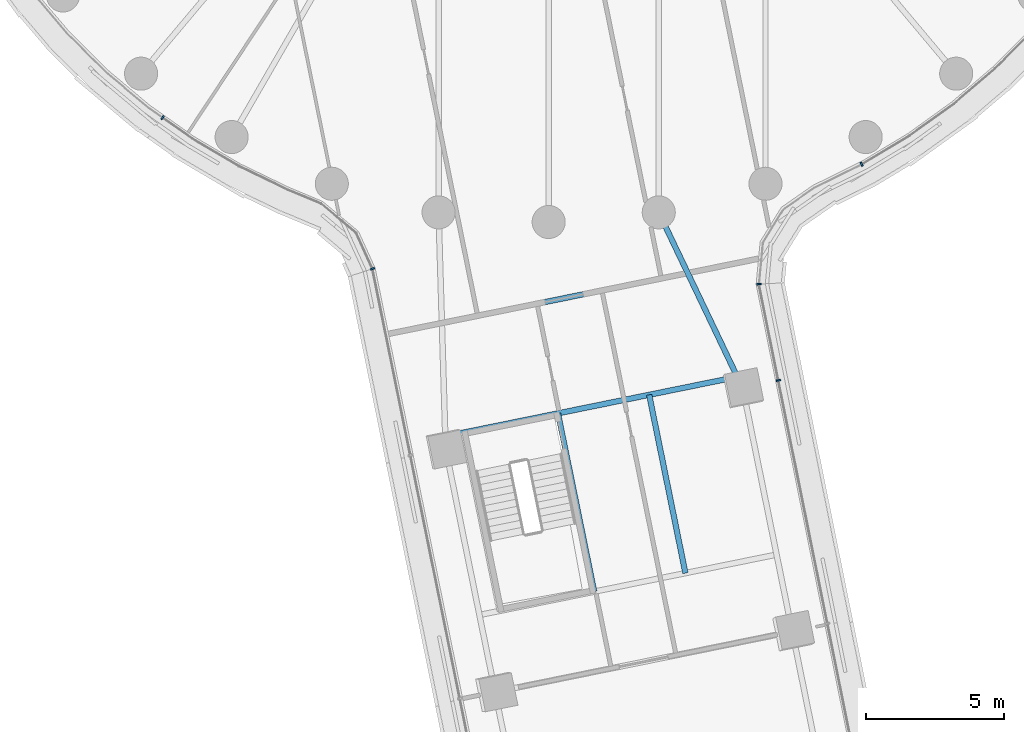
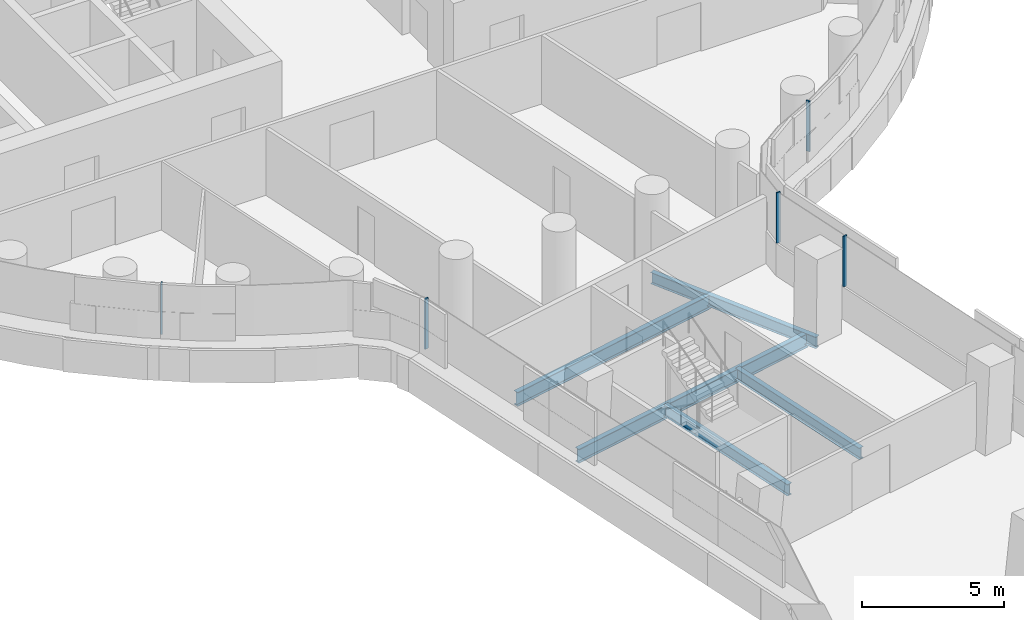
# One storey, part 3 of 31: 5 beams, 5 members, 4 elements without a shape of their own.
"""IFC4 building model written with IfcOpenShell, lengths in metres."""

import ifcopenshell
import ifcopenshell.guid

model = None  # the IFC model being written
_history = None  # IfcOwnerHistory: only IFC2X3 demands one
_inside = {}  # id of a spatial element -> (the spatial element, [elements in it])
_under = {}  # id of a project, library or spatial element -> (it, [spatial elements below it])
_declared = {}  # id of a project -> (the project, [libraries it declares])
_typed = {}  # id of a type object -> (the type object, [elements of that type])
_made_of = {}  # id of a material, layer set ... -> (it, [elements and type objects made of it])


def new_model(schema):
    """Start an empty IFC model of exactly this schema.

    Asked for "IFC4X3", IfcOpenShell would pick the latest addendum, in which some entities
    have other attributes; the version numbers below select the first issue.
    IFC2X3 requires an IfcOwnerHistory on every rooted entity: one is made here for all.
    """
    global model, _history
    if schema == "IFC4X3":
        model = ifcopenshell.file(schema_version=(4, 3, 0, 0))
    else:
        model = ifcopenshell.file(schema=schema)
    _inside.clear()
    _under.clear()
    _declared.clear()
    _typed.clear()
    _made_of.clear()
    _history = None
    if model.schema == "IFC2X3":
        org = make("IfcOrganization", Name="unknown")
        user = make(
            "IfcPersonAndOrganization",
            ThePerson=make("IfcPerson", FamilyName="unknown"),
            TheOrganization=org,
        )
        app = make(
            "IfcApplication",
            ApplicationDeveloper=org,
            Version="unknown",
            ApplicationFullName="unknown",
            ApplicationIdentifier="unknown",
        )
        _history = make(
            "IfcOwnerHistory",
            OwningUser=user,
            OwningApplication=app,
            ChangeAction="ADDED",
            CreationDate=0,
        )
    return model


def make(cls, **values):
    """One entity of the class cls with the attributes given. An attribute that is None is left unset."""
    return model.create_entity(
        cls, **{name: value for name, value in values.items() if value is not None}
    )


def rooted(cls, **values):
    """An entity with a GlobalId (a new one), such as an element, a storey or a relation."""
    return make(cls, GlobalId=ifcopenshell.guid.new(), OwnerHistory=_history, **values)


def si_unit(unit_type, name, prefix=None):
    """IfcSIUnit, for example si_unit("LENGTHUNIT", "METRE", prefix="MILLI")."""
    return make("IfcSIUnit", UnitType=unit_type, Prefix=prefix, Name=name)


def assignment(units):
    """IfcUnitAssignment: the units of a project."""
    return None if units is None else make("IfcUnitAssignment", Units=units)


def point(xyz):
    """IfcCartesianPoint."""
    return None if xyz is None else make("IfcCartesianPoint", Coordinates=xyz)


def direction(xyz):
    """IfcDirection."""
    return None if xyz is None else make("IfcDirection", DirectionRatios=xyz)


def frame(location, z_axis=None, x_axis=None):
    """IfcAxis2Placement3D, a coordinate frame: its origin and axes. An axis left out is left unset."""
    return make(
        "IfcAxis2Placement3D",
        Location=point(location),
        Axis=direction(z_axis),
        RefDirection=direction(x_axis),
    )


def frame_2d(location, x_axis=None):
    """IfcAxis2Placement2D, a coordinate frame in the plane: its origin and x axis."""
    return make(
        "IfcAxis2Placement2D", Location=point(location), RefDirection=direction(x_axis)
    )


def origin():
    """The frame at (0, 0, 0) with its axes left unset."""
    return frame((0.0, 0.0, 0.0))


def origin_2d():
    """The frame at (0, 0) in the plane with its x axis left unset."""
    return frame_2d((0.0, 0.0))


def place(relative_to, where):
    """IfcLocalPlacement: puts the frame where relative to a parent placement (None: the world)."""
    return make(
        "IfcLocalPlacement", PlacementRelTo=relative_to, RelativePlacement=where
    )


def context(
    kind, dimensions, precision=None, world=None, true_north=None, identifier=None
):
    """IfcGeometricRepresentationContext, for example the 3D "Model" context."""
    return make(
        "IfcGeometricRepresentationContext",
        ContextIdentifier=identifier,
        ContextType=kind,
        CoordinateSpaceDimension=dimensions,
        Precision=precision,
        WorldCoordinateSystem=world,
        TrueNorth=true_north,
    )


def subcontext(parent, identifier, kind, view, scale=None):
    """IfcGeometricRepresentationSubContext, for example "Body" below "Model"."""
    return make(
        "IfcGeometricRepresentationSubContext",
        ContextIdentifier=identifier,
        ContextType=kind,
        ParentContext=parent,
        TargetScale=scale,
        TargetView=view,
    )


def project(units=None, contexts=None):
    """IfcProject with its units and contexts."""
    return rooted(
        "IfcProject",
        Name="project",
        RepresentationContexts=contexts,
        UnitsInContext=assignment(units),
    )


def spatial(cls, under=None, at=None, **own):
    """A site, building, storey or space (cls), placed at a placement, below another one or the project."""
    s = rooted(cls, ObjectPlacement=at, **own)
    if under is not None:
        _under.setdefault(under.id(), (under, []))[1].append(s)
    return s


def profile(cls, at=None, kind="AREA", **sizes):
    """A parametric profile (cls). Its sizes go by their IFC names, for example OverallWidth=200.0."""
    return make(cls, ProfileType=kind, Position=at, **sizes)


def rectangle(**sizes):
    """IfcRectangleProfileDef."""
    return profile("IfcRectangleProfileDef", **sizes)


def i_section(**sizes):
    """IfcIShapeProfileDef."""
    return profile("IfcIShapeProfileDef", **sizes)


def extrude(swept, where, along, depth):
    """IfcExtrudedAreaSolid: the profile swept, set in the frame where, extruded along a direction by depth."""
    return make(
        "IfcExtrudedAreaSolid",
        SweptArea=swept,
        Position=where,
        ExtrudedDirection=direction(along),
        Depth=depth,
    )


def shape(context_of_items, identifier, shape_type, items):
    """IfcShapeRepresentation: the items that make up one representation, for example the "Body"."""
    return make(
        "IfcShapeRepresentation",
        ContextOfItems=context_of_items,
        RepresentationIdentifier=identifier,
        RepresentationType=shape_type,
        Items=items,
    )


def material(Name=None, Category=None):
    """IfcMaterial."""
    return make("IfcMaterial", Name=Name, Category=Category)


def layer(
    of_material, thickness, ventilated=None, Name=None, Category=None, Priority=None
):
    """IfcMaterialLayer: one layer of a wall or slab, of a material (None: an air gap)."""
    return make(
        "IfcMaterialLayer",
        Material=of_material,
        LayerThickness=thickness,
        IsVentilated=ventilated,
        Name=Name,
        Category=Category,
        Priority=Priority,
    )


def layer_set(layers, Name=None):
    """IfcMaterialLayerSet."""
    return make("IfcMaterialLayerSet", MaterialLayers=layers, LayerSetName=Name)


def material_profile(
    of_material, cross_section, Name=None, Category=None, Priority=None
):
    """IfcMaterialProfile: a cross section and its material."""
    return make(
        "IfcMaterialProfile",
        Name=Name,
        Material=of_material,
        Profile=cross_section,
        Priority=Priority,
        Category=Category,
    )


def profile_set(profiles, Name=None, composite=None):
    """IfcMaterialProfileSet."""
    return make(
        "IfcMaterialProfileSet",
        Name=Name,
        MaterialProfiles=profiles,
        CompositeProfile=composite,
    )


def made_of(thing, what):
    """Note that an element or type object is made of a material, layer set ...; save() writes the relation."""
    if what is not None:
        _made_of.setdefault(what.id(), (what, []))[1].append(thing)
    return thing


def type_object(cls, material=None, **own):
    """A type object (cls), such as IfcWallType, which elements share."""
    return made_of(rooted(cls, **own), material)


def element(
    cls,
    number,
    at=None,
    inside=None,
    cuts=None,
    type_object=None,
    material=None,
    context=None,
    identifier="Body",
    shape_type=None,
    held_by="IfcProductDefinitionShape",
    body=None,
    shapes=None,
    **own,
):
    """One element of the class cls, such as IfcWall. Its Tag is "e" and its number.

    at: its placement. inside: the storey or other place that contains it. cuts: it is an
    opening in that element (IfcRelVoidsElement). A single representation is given by context,
    identifier, shape_type and body (its items); several are given by shapes. held_by: the class
    of the entity that holds the representations. save() writes the other relations.
    """
    e = rooted(cls, Tag="e%d" % number, ObjectPlacement=at, **own)
    if body is not None:
        shapes = [shape(context, identifier, shape_type, body)]
    if shapes is not None:
        e.Representation = make(held_by, Representations=shapes)
    if inside is not None:
        _inside.setdefault(inside.id(), (inside, []))[1].append(e)
    if cuts is not None:
        rooted(
            "IfcRelVoidsElement", RelatingBuildingElement=cuts, RelatedOpeningElement=e
        )
    if type_object is not None:
        _typed.setdefault(type_object.id(), (type_object, []))[1].append(e)
    return made_of(e, material)


def aggregate(whole, parts):
    """IfcRelAggregates: a whole, such as a stair, and the parts it consists of."""
    return rooted("IfcRelAggregates", RelatingObject=whole, RelatedObjects=parts)


def save(model, path):
    """Write the relations noted so far, then the file.

    IfcRelAggregates (storeys below a building ...), IfcRelContainedInSpatialStructure (elements
    in a storey), IfcRelDefinesByType, IfcRelAssociatesMaterial and IfcRelDeclares: one each for
    every whole, place, type object, material and project.
    """
    for whole, parts in _under.values():
        aggregate(whole, parts)
    for where, things in _inside.values():
        rooted(
            "IfcRelContainedInSpatialStructure",
            RelatedElements=things,
            RelatingStructure=where,
        )
    for kind, things in _typed.values():
        rooted("IfcRelDefinesByType", RelatedObjects=things, RelatingType=kind)
    for what, things in _made_of.values():
        rooted("IfcRelAssociatesMaterial", RelatedObjects=things, RelatingMaterial=what)
    for by, libraries in _declared.values():
        rooted("IfcRelDeclares", RelatingContext=by, RelatedDefinitions=libraries)
    model.write(path)


model = new_model("IFC4")

# Units and contexts
model_context = context("Model", 3, precision=1e-05, world=origin(), true_north=direction((0.0, 1.0)))
body_context = subcontext(model_context, "Body", "Model", "MODEL_VIEW")
ifc_project = project(units=[si_unit("LENGTHUNIT", "METRE"), si_unit("AREAUNIT", "SQUARE_METRE"), si_unit("VOLUMEUNIT", "CUBIC_METRE"), si_unit("PLANEANGLEUNIT", "RADIAN"), si_unit("MASSUNIT", "GRAM", prefix="KILO")], contexts=[model_context])

# Site, building, storey
site_placement = place(None, origin())
site = spatial("IfcSite", under=ifc_project, at=site_placement, CompositionType="ELEMENT")
building_placement = place(site_placement, origin())
building = spatial("IfcBuilding", under=site, at=building_placement, Name="Tamarind Cross Interchange Tower", CompositionType="ELEMENT")
storey_placement = place(building_placement, frame((0.0, 0.0, 75.25)))
storey = spatial("IfcBuildingStorey", under=building, at=storey_placement, Name="L17", CompositionType="ELEMENT", Elevation=75.25)

# Beams
ifc_material_1 = material(Name="Steel Q355B", Category="steel")
ifc_material_profile_1 = material_profile(ifc_material_1, i_section(OverallWidth=0.198974609375, OverallDepth=0.49609375, WebThickness=0.009033203125, FlangeThickness=0.013916015625, FilletRadius=0.012939453125, at=origin_2d()), Name="HN 496x199x9x14")
ifc_profile_set_1 = profile_set([ifc_material_profile_1], Name="Steel Q355B")
beam_type_1 = type_object("IfcBeamType", Name="Composite beam HN 496x199x9x14 Q355B", PredefinedType="BEAM", material=ifc_profile_set_1)
beam_1_placement = place(storey_placement, frame((7.04345703125, -29.037841796875, -0.387939453125), z_axis=(-0.430858558849, 0.902419471347, 0.0), x_axis=(-0.902419471347, -0.430858558849, 0.0)))
element("IfcBeam", 1, at=beam_1_placement, inside=storey, type_object=beam_type_1, Name="Beam S-linkep", PredefinedType="BEAM", context=body_context, shape_type="SweptSolid", body=[
    extrude(i_section(OverallWidth=0.198974609375, OverallDepth=0.49609375, WebThickness=0.009033203125, FlangeThickness=0.013916015625, FilletRadius=0.012939453125, at=origin_2d()), origin(), (0.0, 0.0, 1.0), 7.077880859375),
])
beam_2_placement = place(storey_placement, frame((0.339111328125, -29.941650390625, -0.387939453125), z_axis=(0.199230884197, -0.979952577823, 0.0), x_axis=(0.979952577823, 0.199230884197, 0.0)))
element("IfcBeam", 2, at=beam_2_placement, inside=storey, type_object=beam_type_1, Name="Beam S-tr1", PredefinedType="BEAM", context=body_context, shape_type="SweptSolid", body=[
    extrude(i_section(OverallWidth=0.198974609375, OverallDepth=0.49609375, WebThickness=0.009033203125, FlangeThickness=0.013916015625, FilletRadius=0.012939453125, at=origin_2d()), origin(), (0.0, 0.0, 1.0), 6.60009765625),
])
beam_3_placement = place(storey_placement, frame((3.646484375, -29.269287109375, -0.387939453125), z_axis=(0.199238106363, -0.979951109481, 0.0), x_axis=(0.979951109481, 0.199238106363, 0.0)))
element("IfcBeam", 3, at=beam_3_placement, inside=storey, type_object=beam_type_1, Name="Beam S-stripp", PredefinedType="BEAM", context=body_context, shape_type="SweptSolid", body=[
    extrude(i_section(OverallWidth=0.198974609375, OverallDepth=0.49609375, WebThickness=0.009033203125, FlangeThickness=0.013916015625, FilletRadius=0.012939453125, at=origin_2d()), origin(), (0.0, 0.0, 1.0), 6.599853515625),
])
ifc_material_profile_2 = material_profile(ifc_material_1, i_section(OverallWidth=0.199951171875, OverallDepth=0.60009765625, WebThickness=0.010986328125, FlangeThickness=0.01708984375, FilletRadius=0.012939453125, at=origin_2d()), Name="HN 600x200x11x17")
ifc_profile_set_2 = profile_set([ifc_material_profile_2], Name="Steel Q355B")
beam_type_2 = type_object("IfcBeamType", Name="Composite beam HN 600x200x11x17 Q355B", PredefinedType="BEAM", material=ifc_profile_set_2)
beam_4_placement = place(storey_placement, frame((-3.749755859375, -30.77294921875, -0.43994140625), z_axis=(0.979950266885, 0.199242250621, 0.0), x_axis=(-0.199242250621, 0.979950266885, 0.0)))
element("IfcBeam", 4, at=beam_4_placement, inside=storey, type_object=beam_type_2, Name="Beam S-x298", PredefinedType="BEAM", context=body_context, shape_type="SweptSolid", body=[
    extrude(i_section(OverallWidth=0.199951171875, OverallDepth=0.60009765625, WebThickness=0.010986328125, FlangeThickness=0.01708984375, FilletRadius=0.012939453125, at=origin_2d()), origin(), (0.0, 0.0, 1.0), 10.81005859375),
])
beam_5_placement = place(storey_placement, frame((-3.873291015625, -26.665283203125, -0.43994140625), z_axis=(0.97995042478, 0.19924147403, 0.0), x_axis=(-0.19924147403, 0.97995042478, 0.0)))
element("IfcBeam", 5, at=beam_5_placement, inside=storey, type_object=beam_type_2, Name="Beam S-x258", PredefinedType="BEAM", context=body_context, shape_type="SweptSolid", body=[
    extrude(i_section(OverallWidth=0.199951171875, OverallDepth=0.60009765625, WebThickness=0.010986328125, FlangeThickness=0.01708984375, FilletRadius=0.012939453125, at=origin_2d()), origin(), (0.0, 0.0, 1.0), 9.1005859375),
])

# Curtain wall, member
ifc_material_2 = material(Name="Aluminium 6063-T6", Category="aluminium")
ifc_layer = layer(ifc_material_2, 0.159912109375)
ifc_layer_set = layer_set([ifc_layer], Name="Aluminium 6063-T6")
curtain_wall_type = type_object("IfcCurtainWallType", Name="Office curtain wall, 9.0 m bays", PredefinedType="NOTDEFINED", material=ifc_layer_set)
curtain_wall_1_placement = place(storey_placement, origin())
curtain_wall_1 = element("IfcCurtainWall", 6, at=curtain_wall_1_placement, inside=storey, type_object=curtain_wall_type, Name="CWS-L17-02", PredefinedType="NOTDEFINED")
ifc_material_profile_3 = material_profile(ifc_material_2, rectangle(XDim=0.06005859375, YDim=0.159912109375, at=origin_2d()), Name="Mullion CW1")
ifc_profile_set_3 = profile_set([ifc_material_profile_3], Name="Aluminium 6063-T6")
member_type = type_object("IfcMemberType", Name="Mullion CW1", PredefinedType="MULLION", material=ifc_profile_set_3)
member_1_placement = place(storey_placement, frame((-14.007080078125, -19.21435546875, 1.39990234375), z_axis=(0.0, 0.0, 1.0), x_axis=(0.816341886298, -0.577568978284, 0.0)))
member_1 = element("IfcMember", 7, at=member_1_placement, type_object=member_type, Name="CWM-L17-02-02", PredefinedType="MULLION", context=body_context, shape_type="SweptSolid", body=[
    extrude(rectangle(XDim=0.06005859375, YDim=0.159912109375, at=origin_2d()), origin(), (0.0, 0.0, 1.0), 2.170166015625),
])
aggregate(curtain_wall_1, [member_1])

curtain_wall_2_placement = place(storey_placement, origin())
curtain_wall_2 = element("IfcCurtainWall", 8, at=curtain_wall_2_placement, inside=storey, type_object=curtain_wall_type, Name="CWS-L17-03", PredefinedType="NOTDEFINED")
member_2_placement = place(storey_placement, frame((-6.390625, -24.697998046875, 1.39990234375), z_axis=(0.0, 0.0, 1.0), x_axis=(0.308818790318, -0.951120893865, 0.0)))
member_2 = element("IfcMember", 9, at=member_2_placement, type_object=member_type, Name="CWM-L17-03-00", PredefinedType="MULLION", context=body_context, shape_type="SweptSolid", body=[
    extrude(rectangle(XDim=0.06005859375, YDim=0.159912109375, at=origin_2d()), origin(), (0.0, 0.0, 1.0), 2.170166015625),
])
aggregate(curtain_wall_2, [member_2])

curtain_wall_3_placement = place(storey_placement, origin())
curtain_wall_3 = element("IfcCurtainWall", 10, at=curtain_wall_3_placement, inside=storey, type_object=curtain_wall_type, Name="CWS-L17-05", PredefinedType="NOTDEFINED")
member_3_placement = place(storey_placement, frame((8.332275390625, -28.745849609375, 1.39990234375), z_axis=(0.0, 0.0, 1.0), x_axis=(-0.19802282903, 0.980197408272, 0.0)))
member_3 = element("IfcMember", 11, at=member_3_placement, type_object=member_type, Name="CWM-L17-05-02", PredefinedType="MULLION", context=body_context, shape_type="SweptSolid", body=[
    extrude(rectangle(XDim=0.06005859375, YDim=0.159912109375, at=origin_2d()), origin(), (0.0, 0.0, 1.0), 2.170166015625),
])
aggregate(curtain_wall_3, [member_3])

# Curtain wall, members
curtain_wall_4_placement = place(storey_placement, origin())
curtain_wall_4 = element("IfcCurtainWall", 12, at=curtain_wall_4_placement, inside=storey, type_object=curtain_wall_type, Name="CWS-L17-06", PredefinedType="NOTDEFINED")
member_4_placement = place(storey_placement, frame((7.626708984375, -25.25341796875, 1.39990234375), z_axis=(0.0, 0.0, 1.0), x_axis=(-0.052248816044, 0.998634097767, 0.0)))
member_4 = element("IfcMember", 13, at=member_4_placement, type_object=member_type, Name="CWM-L17-06-00", PredefinedType="MULLION", context=body_context, shape_type="SweptSolid", body=[
    extrude(rectangle(XDim=0.06005859375, YDim=0.159912109375, at=origin_2d()), origin(), (0.0, 0.0, 1.0), 2.170166015625),
])
member_5_placement = place(storey_placement, frame((11.3564453125, -20.907958984375, 1.39990234375), z_axis=(0.0, 0.0, 1.0), x_axis=(0.896492548518, 0.443058811505, 0.0)))
member_5 = element("IfcMember", 14, at=member_5_placement, type_object=member_type, Name="CWM-L17-06-01", PredefinedType="MULLION", context=body_context, shape_type="SweptSolid", body=[
    extrude(rectangle(XDim=0.06005859375, YDim=0.159912109375, at=origin_2d()), origin(), (0.0, 0.0, 1.0), 2.170166015625),
])
aggregate(curtain_wall_4, [member_4, member_5])

save(model, "model.ifc")
